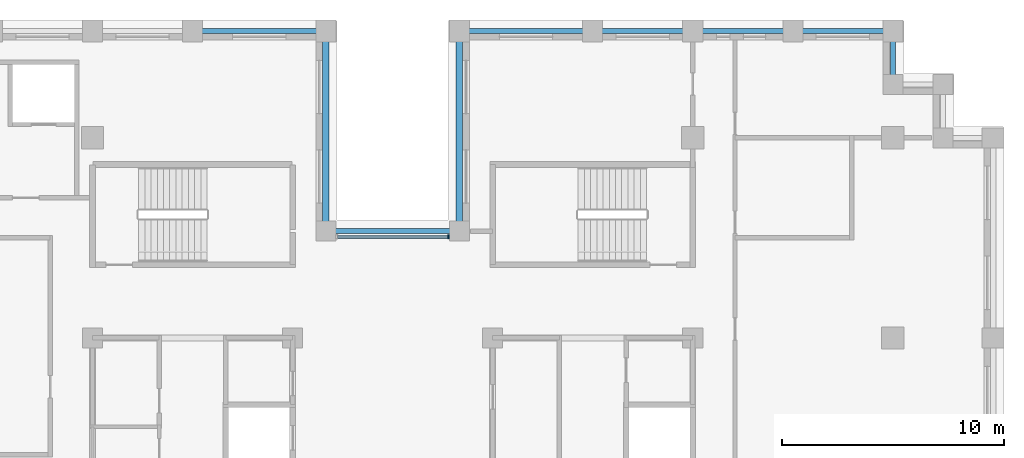
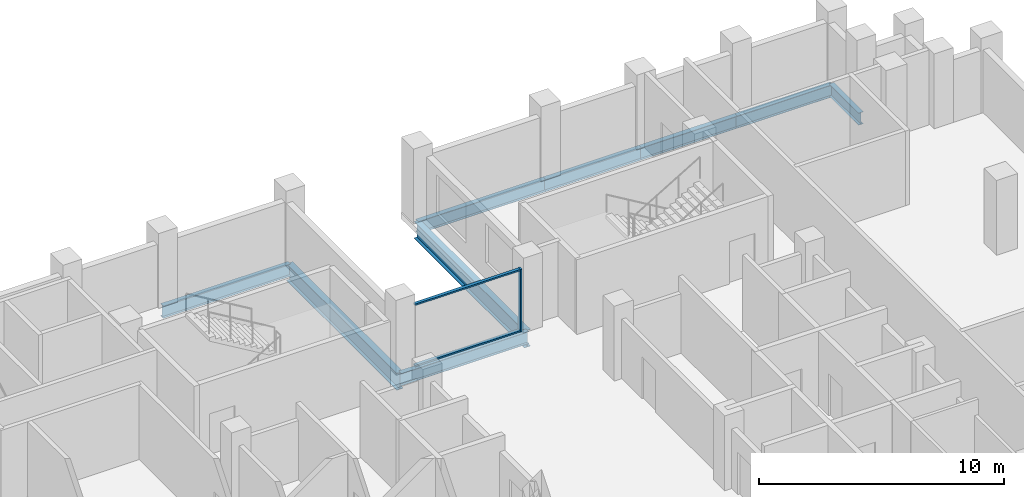
# One storey, part 4 of 15: 9 beams, 3 members, 1 element without a shape of its own.
"""IFC4 building model written with IfcOpenShell, lengths in metres."""

from ifc_helpers import new_model, si_unit, direction, frame, origin, origin_2d, place, context, subcontext, project, spatial, rectangle, i_section, extrude, material, layer, layer_set, material_profile, profile_set, type_object, element, aggregate, save


model = new_model("IFC4")

# Units and contexts
model_context = context("Model", 3, precision=1e-05, world=origin(), true_north=direction((0.0, 1.0)))
body_context = subcontext(model_context, "Body", "Model", "MODEL_VIEW")
ifc_project = project(units=[si_unit("LENGTHUNIT", "METRE"), si_unit("AREAUNIT", "SQUARE_METRE"), si_unit("VOLUMEUNIT", "CUBIC_METRE"), si_unit("PLANEANGLEUNIT", "RADIAN"), si_unit("MASSUNIT", "GRAM", prefix="KILO")], contexts=[model_context])

# Site, building, storey
site_placement = place(None, origin())
site = spatial("IfcSite", under=ifc_project, at=site_placement, CompositionType="ELEMENT")
building_placement = place(site_placement, origin())
building = spatial("IfcBuilding", under=site, at=building_placement, Name="Corbelhall Arena Tower", CompositionType="ELEMENT")
storey_placement = place(building_placement, frame((0.0, 0.0, 208.0)))
storey = spatial("IfcBuildingStorey", under=building, at=storey_placement, Name="L43", CompositionType="ELEMENT", Elevation=208.0)

# Curtain wall, members
ifc_material_1 = material(Name="Aluminium black anodised", Category="aluminium")
ifc_layer = layer(ifc_material_1, 0.199951171875)
ifc_layer_set = layer_set([ifc_layer], Name="EV-CW1 Slot back wall")
curtain_wall_type = type_object("IfcCurtainWallType", Name="EV-CW1 Slot back wall", PredefinedType="NOTDEFINED", material=ifc_layer_set)
curtain_wall_placement = place(storey_placement, origin())
curtain_wall = element("IfcCurtainWall", 1, at=curtain_wall_placement, inside=storey, type_object=curtain_wall_type, Name="Curtain wall CW1", PredefinedType="NOTDEFINED")
ifc_material_profile_1 = material_profile(ifc_material_1, rectangle(XDim=0.199951171875, YDim=0.074951171875, at=origin_2d()))
ifc_profile_set_1 = profile_set([ifc_material_profile_1], Name="Aluminium black anodised")
member_type_1 = type_object("IfcMemberType", Name="EV-CW1-MULLION", PredefinedType="MULLION", material=ifc_profile_set_1)
member_1_placement = place(storey_placement, frame((2.512451171875, 13.550048828125, 0.0), z_axis=(0.0, 0.0, 1.0), x_axis=(0.0, -1.0, 0.0)))
member_1 = element("IfcMember", 2, at=member_1_placement, type_object=member_type_1, Name="CW1 mullion 1", PredefinedType="MULLION", context=body_context, shape_type="SweptSolid", body=[
    extrude(rectangle(XDim=0.199951171875, YDim=0.074951171875, at=origin_2d()), origin(), (0.0, 0.0, 1.0), 3.1201171875),
])
ifc_material_profile_2 = material_profile(ifc_material_1, rectangle(XDim=0.14990234375, YDim=0.074951171875, at=origin_2d()))
ifc_profile_set_2 = profile_set([ifc_material_profile_2], Name="Aluminium black anodised")
member_type_2 = type_object("IfcMemberType", Name="EV-CW1-TRANSOM", PredefinedType="USERDEFINED", material=ifc_profile_set_2)
member_2_placement = place(storey_placement, frame((2.47509765625, 13.550048828125, 0.03759765625), z_axis=(-1.0, 0.0, 0.0), x_axis=(0.0, -1.0, 0.0)))
member_2 = element("IfcMember", 3, at=member_2_placement, type_object=member_type_2, Name="CW1 transom 1.1", ObjectType="transom", PredefinedType="USERDEFINED", context=body_context, shape_type="SweptSolid", body=[
    extrude(rectangle(XDim=0.14990234375, YDim=0.074951171875, at=origin_2d()), origin(), (0.0, 0.0, 1.0), 4.9501953125),
])
member_3_placement = place(storey_placement, frame((2.47509765625, 13.550048828125, 3.08251953125), z_axis=(-1.0, 0.0, 0.0), x_axis=(0.0, -1.0, 0.0)))
member_3 = element("IfcMember", 4, at=member_3_placement, type_object=member_type_2, Name="CW1 transom 1.2", ObjectType="transom", PredefinedType="USERDEFINED", context=body_context, shape_type="SweptSolid", body=[
    extrude(rectangle(XDim=0.14990234375, YDim=0.074951171875, at=origin_2d()), origin(), (0.0, 0.0, 1.0), 4.9501953125),
])
aggregate(curtain_wall, [member_1, member_2, member_3])

# Beams
ifc_material_2 = material(Name="Steel ASTM A992 Gr50", Category="steel")
ifc_material_profile_3 = material_profile(ifc_material_2, i_section(OverallWidth=0.228271484375, OverallDepth=0.607177734375, WebThickness=0.01123046875, FlangeThickness=0.017333984375, at=origin_2d()))
ifc_profile_set_3 = profile_set([ifc_material_profile_3], Name="Steel ASTM A992 Gr50")
beam_type_1 = type_object("IfcBeamType", Name="ST-SPANDREL-W24x76", PredefinedType="SPANDREL", material=ifc_profile_set_3)
beam_1_placement = place(storey_placement, frame((3.0, 22.800048828125, -0.58349609375), z_axis=(1.0, 0.0, 0.0), x_axis=(0.0, 1.0, 0.0)))
element("IfcBeam", 5, at=beam_1_placement, inside=storey, type_object=beam_type_1, Name="Beam SP 13", PredefinedType="SPANDREL", context=body_context, shape_type="SweptSolid", body=[
    extrude(i_section(OverallWidth=0.228271484375, OverallDepth=0.607177734375, WebThickness=0.01123046875, FlangeThickness=0.017333984375, at=origin_2d()), origin(), (0.0, 0.0, 1.0), 6.0),
])
for number, where, z_axis, x_axis, name in (
    (6, (9.0, 22.800048828125, -0.58349609375), (1.0, 0.0, 0.0), (0.0, 1.0, 0.0), "Beam SP 14"),
    (7, (13.5, 22.800048828125, -0.58349609375), (1.0, 0.0, 0.0), (0.0, 1.0, 0.0), "Beam SP 15"),
    (8, (18.0, 22.800048828125, -0.58349609375), (1.0, 0.0, 0.0), (0.0, 1.0, 0.0), "Beam SP 16"),
):
    element("IfcBeam", number, at=place(storey_placement, frame(where, z_axis=z_axis, x_axis=x_axis)), inside=storey, type_object=beam_type_1, Name=name, PredefinedType="SPANDREL", context=body_context, shape_type="SweptSolid", body=[
        extrude(i_section(OverallWidth=0.228271484375, OverallDepth=0.607177734375, WebThickness=0.01123046875, FlangeThickness=0.017333984375, at=origin_2d()), origin(), (0.0, 0.0, 1.0), 4.5),
    ])
beam_2_placement = place(storey_placement, frame((22.5, 22.800048828125, -0.58349609375), z_axis=(0.0, -1.0, 0.0), x_axis=(1.0, 0.0, 0.0)))
element("IfcBeam", 9, at=beam_2_placement, inside=storey, type_object=beam_type_1, Name="Beam SP 17", PredefinedType="SPANDREL", context=body_context, shape_type="SweptSolid", body=[
    extrude(i_section(OverallWidth=0.228271484375, OverallDepth=0.607177734375, WebThickness=0.01123046875, FlangeThickness=0.017333984375, at=origin_2d()), origin(), (0.0, 0.0, 1.0), 2.400146484375),
])
for number, where, z_axis, x_axis, name in (
    (10, (-9.0, 22.800048828125, -0.58349609375), (1.0, 0.0, 0.0), (0.0, 1.0, 0.0), "Beam SP 19"),
    (11, (-3.0, 13.800048828125, -0.58349609375), (1.0, 0.0, 0.0), (0.0, 1.0, 0.0), "Beam SP 36"),
):
    element("IfcBeam", number, at=place(storey_placement, frame(where, z_axis=z_axis, x_axis=x_axis)), inside=storey, type_object=beam_type_1, Name=name, PredefinedType="SPANDREL", context=body_context, shape_type="SweptSolid", body=[
        extrude(i_section(OverallWidth=0.228271484375, OverallDepth=0.607177734375, WebThickness=0.01123046875, FlangeThickness=0.017333984375, at=origin_2d()), origin(), (0.0, 0.0, 1.0), 6.0),
    ])
ifc_material_profile_4 = material_profile(ifc_material_2, i_section(OverallWidth=0.2919921875, OverallDepth=0.845703125, WebThickness=0.015380859375, FlangeThickness=0.0244140625, at=origin_2d()))
ifc_profile_set_4 = profile_set([ifc_material_profile_4], Name="Steel ASTM A992 Gr50")
beam_type_2 = type_object("IfcBeamType", Name="ST-SPANDREL-W33x141", PredefinedType="SPANDREL", material=ifc_profile_set_4)
for number, where, z_axis, x_axis, name in (
    (12, (-3.0, 22.800048828125, -0.702880859375), (0.0, -1.0, 0.0), (1.0, 0.0, 0.0), "Beam SP 18"),
    (13, (3.0, 13.800048828125, -0.702880859375), (0.0, 1.0, 0.0), (-1.0, 0.0, 0.0), "Beam SP 35"),
):
    element("IfcBeam", number, at=place(storey_placement, frame(where, z_axis=z_axis, x_axis=x_axis)), inside=storey, type_object=beam_type_2, Name=name, PredefinedType="SPANDREL", context=body_context, shape_type="SweptSolid", body=[
        extrude(i_section(OverallWidth=0.2919921875, OverallDepth=0.845703125, WebThickness=0.015380859375, FlangeThickness=0.0244140625, at=origin_2d()), origin(), (0.0, 0.0, 1.0), 9.0),
    ])

save(model, "model.ifc")
